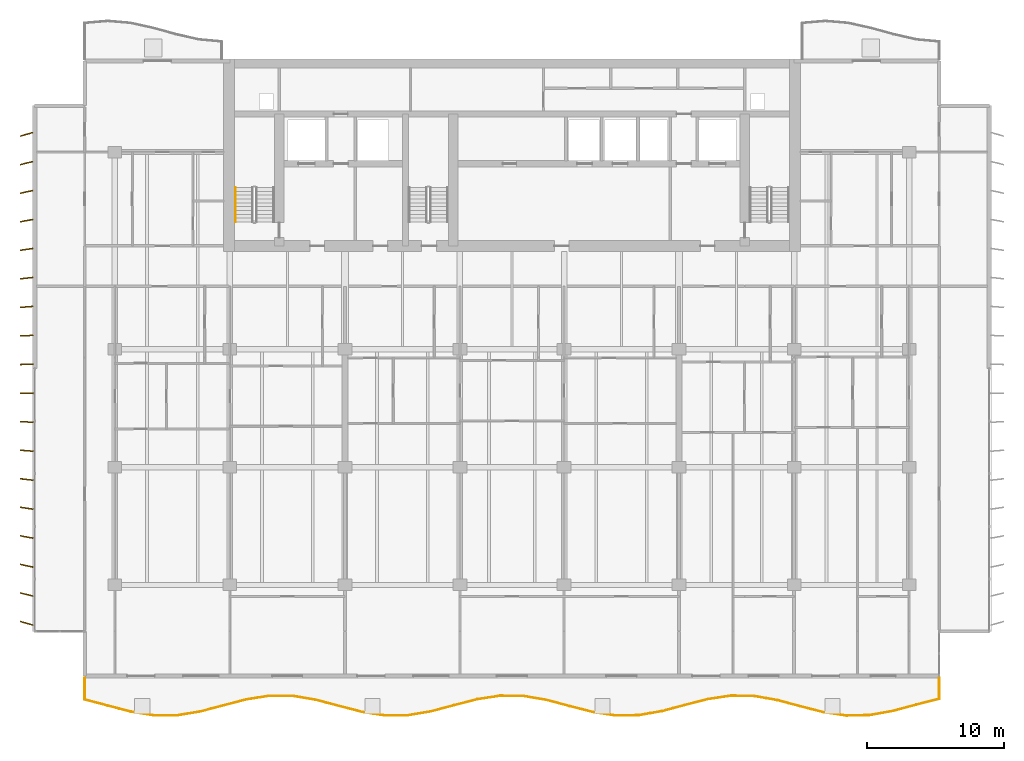
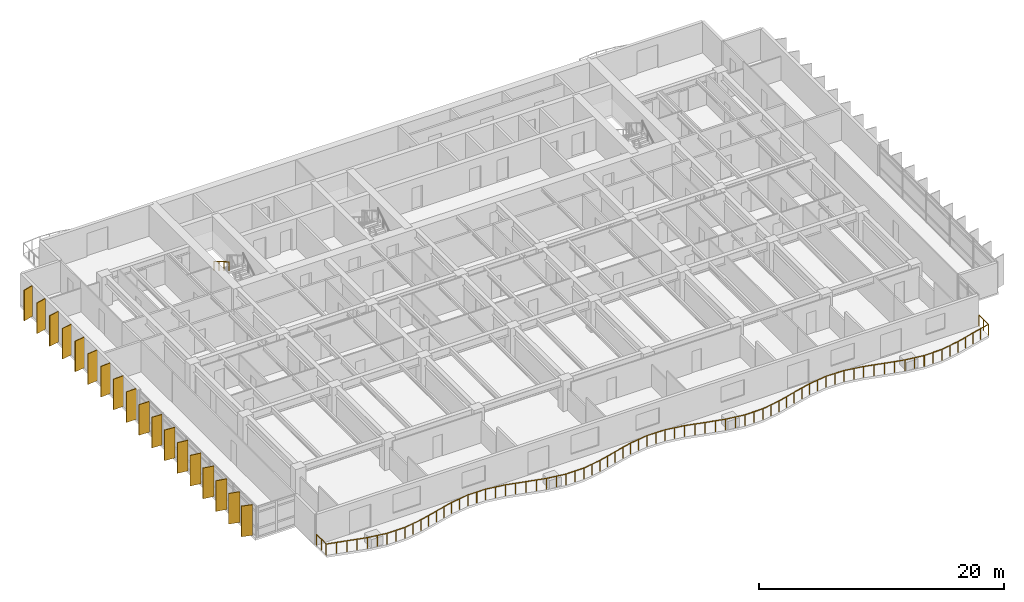
# One storey, part 12 of 15: 18 shading devices, 2 railings.
"""IFC4 building model written with IfcOpenShell, lengths in metres."""

from ifc_helpers import new_model, si_unit, direction, frame, origin, origin_2d, place, context, subcontext, project, spatial, rectangle, circle, extrude, material, material_profile, profile_set, type_object, element, save


model = new_model("IFC4")

# Units and contexts
model_context = context("Model", 3, precision=1e-05, world=origin(), true_north=direction((0.0, 1.0)))
body_context = subcontext(model_context, "Body", "Model", "MODEL_VIEW")
ifc_project = project(units=[si_unit("LENGTHUNIT", "METRE"), si_unit("AREAUNIT", "SQUARE_METRE"), si_unit("VOLUMEUNIT", "CUBIC_METRE"), si_unit("PLANEANGLEUNIT", "RADIAN"), si_unit("MASSUNIT", "GRAM", prefix="KILO")], contexts=[model_context])

# Site, building, storey
site_placement = place(None, origin())
site = spatial("IfcSite", under=ifc_project, at=site_placement, CompositionType="ELEMENT")
building_placement = place(site_placement, origin())
building = spatial("IfcBuilding", under=site, at=building_placement, Name="Caelmar Bay Residences", CompositionType="ELEMENT")
storey_placement = place(building_placement, frame((0.0, 0.0, 138.89990234375)))
storey = spatial("IfcBuildingStorey", under=building, at=storey_placement, Name="L38", CompositionType="ELEMENT", Elevation=138.89990234375)

# Railings
ifc_material_1 = material(Name="Anodised bronze handrail with laminated hurricane glass infill", Category="glass")
railing_type_1 = type_object("IfcRailingType", Name="RL-BAL-1100", PredefinedType="BALUSTRADE", material=ifc_material_1)
railing_1_placement = place(storey_placement, frame((7.699951171875, 5.39990234375, 0.0)))
element("IfcRailing", 1, at=railing_1_placement, inside=storey, type_object=railing_type_1, Name="L38 south Balcony Balustrade", PredefinedType="BALUSTRADE", context=body_context, shape_type="SweptSolid", body=[
    extrude(circle(Radius=0.02392578125, at=origin_2d()), frame((0.0, 0.0, 1.076171875), z_axis=(0.0, -1.0, 0.0), x_axis=(1.0, 0.0, 0.0)), (0.0, 0.0, 1.0), 1.5791015625),
    extrude(circle(Radius=0.02392578125, at=origin_2d()), frame((0.0, -1.5791015625, 1.076171875), z_axis=(0.967242999152, -0.253852281045, 0.0), x_axis=(0.253852281045, 0.967242999152, 0.0)), (0.0, 0.0, 1.0), 1.74365234375),
    extrude(circle(Radius=0.02392578125, at=origin_2d()), frame((1.6865234375, -2.021728515625, 1.076171875), z_axis=(0.967346068881, -0.25345923345, 0.0), x_axis=(0.25345923345, 0.967346068881, 0.0)), (0.0, 0.0, 1.0), 1.743408203125),
    extrude(circle(Radius=0.02392578125, at=origin_2d()), frame((3.373046875, -2.463623046875, 1.076171875), z_axis=(0.987312771939, -0.15878756364, 0.0), x_axis=(0.15878756364, 0.987312771939, 0.0)), (0.0, 0.0, 1.0), 1.708251953125),
    extrude(circle(Radius=0.02392578125, at=origin_2d()), frame((5.0595703125, -2.73486328125, 1.076171875), z_axis=(0.999997316947, 0.002316484302, 0.0), x_axis=(-0.002316484302, 0.999997316947, 0.0)), (0.0, 0.0, 1.0), 1.686279296875),
    extrude(circle(Radius=0.02392578125, at=origin_2d()), frame((6.745849609375, -2.73095703125, 1.076171875), z_axis=(0.986723913917, 0.162406643041, 0.0), x_axis=(-0.162406643041, 0.986723913917, 0.0)), (0.0, 0.0, 1.0), 1.709228515625),
    extrude(circle(Radius=0.02392578125, at=origin_2d()), frame((8.432373046875, -2.453369140625, 1.076171875), z_axis=(0.967001967981, 0.254768902971, 0.0), x_axis=(-0.254768902971, 0.967001967981, 0.0)), (0.0, 0.0, 1.0), 1.744140625),
    extrude(circle(Radius=0.02392578125, at=origin_2d()), frame((10.118896484375, -2.009033203125, 1.076171875), z_axis=(0.967586028705, 0.252541634301, 0.0), x_axis=(-0.252541634301, 0.967586028705, 0.0)), (0.0, 0.0, 1.0), 1.742919921875),
    extrude(circle(Radius=0.02392578125, at=origin_2d()), frame((11.805419921875, -1.56884765625, 1.076171875), z_axis=(0.98773512565, 0.156138789405, 0.0), x_axis=(-0.156138789405, 0.98773512565, 0.0)), (0.0, 0.0, 1.0), 1.70751953125),
    extrude(circle(Radius=0.02392578125, at=origin_2d()), frame((13.491943359375, -1.30224609375, 1.076171875), z_axis=(0.999984063822, -0.005645538287, 0.0), x_axis=(0.005645538287, 0.999984063822, 0.0)), (0.0, 0.0, 1.0), 1.6865234375),
    extrude(circle(Radius=0.02392578125, at=origin_2d()), frame((15.178466796875, -1.311767578125, 1.076171875), z_axis=(0.986285665301, -0.165047224825, 0.0), x_axis=(0.165047224825, 0.986285665301, 0.0)), (0.0, 0.0, 1.0), 1.7099609375),
    extrude(circle(Radius=0.02392578125, at=origin_2d()), frame((16.864990234375, -1.593994140625, 1.076171875), z_axis=(0.966794774667, -0.255554032794, 0.0), x_axis=(0.255554032794, 0.966794774667, 0.0)), (0.0, 0.0, 1.0), 1.744384765625),
    extrude(circle(Radius=0.02392578125, at=origin_2d()), frame((18.551513671875, -2.039794921875, 1.076171875), z_axis=(0.967816364062, -0.251657476452, 0.0), x_axis=(0.251657476452, 0.967816364062, 0.0)), (0.0, 0.0, 1.0), 1.742431640625),
    extrude(circle(Radius=0.02392578125, at=origin_2d()), frame((20.23779296875, -2.478271484375, 1.076171875), z_axis=(0.988172408476, -0.153346963215, 0.0), x_axis=(0.153346963215, 0.988172408476, 0.0)), (0.0, 0.0, 1.0), 1.706787109375),
    extrude(circle(Radius=0.02392578125, at=origin_2d()), frame((21.92431640625, -2.739990234375, 1.076171875), z_axis=(0.999959726211, 0.00897473987, 0.0), x_axis=(-0.00897473987, 0.999959726211, 0.0)), (0.0, 0.0, 1.0), 1.6865234375),
    extrude(circle(Radius=0.02392578125, at=origin_2d()), frame((23.61083984375, -2.724853515625, 1.076171875), z_axis=(0.98588789795, 0.167406847756, 0.0), x_axis=(-0.167406847756, 0.98588789795, 0.0)), (0.0, 0.0, 1.0), 1.710693359375),
    extrude(circle(Radius=0.02392578125, at=origin_2d()), frame((25.29736328125, -2.4384765625, 1.076171875), z_axis=(0.966517664442, 0.256600086362, 0.0), x_axis=(-0.256600086362, 0.966517664442, 0.0)), (0.0, 0.0, 1.0), 1.744873046875),
    extrude(circle(Radius=0.02392578125, at=origin_2d()), frame((26.98388671875, -1.99072265625, 1.076171875), z_axis=(0.968131680755, 0.250441707225, 0.0), x_axis=(-0.250441707225, 0.968131680755, 0.0)), (0.0, 0.0, 1.0), 1.741943359375),
    extrude(circle(Radius=0.02392578125, at=origin_2d()), frame((28.67041015625, -1.554443359375, 1.076171875), z_axis=(0.988559536342, 0.15083117419, 0.0), x_axis=(-0.15083117419, 0.988559536342, 0.0)), (0.0, 0.0, 1.0), 1.7060546875),
    extrude(circle(Radius=0.02392578125, at=origin_2d()), frame((30.35693359375, -1.297119140625, 1.076171875), z_axis=(0.999922493611, -0.012450171486, 0.0), x_axis=(0.012450171486, 0.999922493611, 0.0)), (0.0, 0.0, 1.0), 1.6865234375),
    extrude(circle(Radius=0.02392578125, at=origin_2d()), frame((32.043212890625, -1.318115234375, 1.076171875), z_axis=(0.985460939376, -0.169902139374, 0.0), x_axis=(0.169902139374, 0.985460939376, 0.0)), (0.0, 0.0, 1.0), 1.71142578125),
    extrude(circle(Radius=0.02392578125, at=origin_2d()), frame((33.729736328125, -1.60888671875, 1.076171875), z_axis=(0.966309193943, -0.257384035445, 0.0), x_axis=(0.257384035445, 0.966309193943, 0.0)), (0.0, 0.0, 1.0), 1.745361328125),
    extrude(circle(Radius=0.02392578125, at=origin_2d()), frame((35.416259765625, -2.05810546875, 1.076171875), z_axis=(0.968403026193, -0.249390414533, 0.0), x_axis=(0.249390414533, 0.968403026193, 0.0)), (0.0, 0.0, 1.0), 1.741455078125),
    extrude(circle(Radius=0.02392578125, at=origin_2d()), frame((37.102783203125, -2.492431640625, 1.076171875), z_axis=(0.988961540669, -0.148172436971, 0.0), x_axis=(0.148172436971, 0.988961540669, 0.0)), (0.0, 0.0, 1.0), 1.705322265625),
    extrude(circle(Radius=0.02392578125, at=origin_2d()), frame((38.789306640625, -2.7451171875, 1.076171875), z_axis=(0.999875537862, 0.015776843316, 0.0), x_axis=(-0.015776843316, 0.999875537862, 0.0)), (0.0, 0.0, 1.0), 1.686767578125),
    extrude(circle(Radius=0.02392578125, at=origin_2d()), frame((40.475830078125, -2.718505859375, 1.076171875), z_axis=(0.985003822672, 0.17253251671, 0.0), x_axis=(-0.17253251671, 0.985003822672, 0.0)), (0.0, 0.0, 1.0), 1.712158203125),
    extrude(circle(Radius=0.02392578125, at=origin_2d()), frame((42.162353515625, -2.423095703125, 1.076171875), z_axis=(0.966125737824, 0.25807180922, 0.0), x_axis=(-0.25807180922, 0.966125737824, 0.0)), (0.0, 0.0, 1.0), 1.745361328125),
    extrude(circle(Radius=0.02392578125, at=origin_2d()), frame((43.8486328125, -1.97265625, 1.076171875), z_axis=(0.968673380901, 0.248338239371, 0.0), x_axis=(-0.248338239371, 0.968673380901, 0.0)), (0.0, 0.0, 1.0), 1.740966796875),
    extrude(circle(Radius=0.02392578125, at=origin_2d()), frame((45.53515625, -1.540283203125, 1.076171875), z_axis=(0.989377318398, 0.14537029215, 0.0), x_axis=(-0.14537029215, 0.989377318398, 0.0)), (0.0, 0.0, 1.0), 1.70458984375),
    extrude(circle(Radius=0.02392578125, at=origin_2d()), frame((47.2216796875, -1.29248046875, 1.076171875), z_axis=(0.999817486792, -0.019104792741, 0.0), x_axis=(0.019104792741, 0.999817486792, 0.0)), (0.0, 0.0, 1.0), 1.686767578125),
    extrude(circle(Radius=0.02392578125, at=origin_2d()), frame((48.908203125, -1.32470703125, 1.076171875), z_axis=(0.984589241771, -0.174882889353, 0.0), x_axis=(0.174882889353, 0.984589241771, 0.0)), (0.0, 0.0, 1.0), 1.712890625),
    extrude(circle(Radius=0.02392578125, at=origin_2d()), frame((50.5947265625, -1.624267578125, 1.076171875), z_axis=(0.965890617904, -0.258950408853, 0.0), x_axis=(0.258950408853, 0.965890617904, 0.0)), (0.0, 0.0, 1.0), 1.74609375),
    extrude(circle(Radius=0.02392578125, at=origin_2d()), frame((52.28125, -2.076416015625, 1.076171875), z_axis=(0.968967772259, -0.247187087697, 0.0), x_axis=(0.247187087697, 0.968967772259, 0.0)), (0.0, 0.0, 1.0), 1.740234375),
    extrude(circle(Radius=0.02392578125, at=origin_2d()), frame((53.967529296875, -2.506591796875, 1.076171875), z_axis=(0.989785492966, -0.142564644687, 0.0), x_axis=(0.142564644687, 0.989785492966, 0.0)), (0.0, 0.0, 1.0), 1.703857421875),
    extrude(circle(Radius=0.02392578125, at=origin_2d()), frame((55.654052734375, -2.74951171875, 1.076171875), z_axis=(0.999748368622, 0.022432107287, 0.0), x_axis=(-0.022432107287, 0.999748368622, 0.0)), (0.0, 0.0, 1.0), 1.68701171875),
    extrude(circle(Radius=0.02392578125, at=origin_2d()), frame((57.340576171875, -2.711669921875, 1.076171875), z_axis=(0.984144551862, 0.177368263907, 0.0), x_axis=(-0.177368263907, 0.984144551862, 0.0)), (0.0, 0.0, 1.0), 1.713623046875),
    extrude(circle(Radius=0.02392578125, at=origin_2d()), frame((59.027099609375, -2.40771484375, 1.076171875), z_axis=(0.965750609382, 0.259472080344, 0.0), x_axis=(-0.259472080344, 0.965750609382, 0.0)), (0.0, 0.0, 1.0), 1.746337890625),
    extrude(circle(Radius=0.02392578125, at=origin_2d()), frame((60.713623046875, -1.95458984375, 1.076171875), z_axis=(0.969244582602, 0.246099449607, 0.0), x_axis=(-0.246099449607, 0.969244582602, 0.0)), (0.0, 0.0, 1.0), 1.739990234375),
    extrude(circle(Radius=0.02392578125, at=origin_2d()), frame((62.400146484375, -1.5263671875, 1.076171875), z_axis=(0.0, 1.0, 0.0), x_axis=(-1.0, 0.0, 0.0)), (0.0, 0.0, 1.0), 1.5263671875),
    extrude(circle(Radius=0.02099609375, at=origin_2d()), origin(), (0.0, 0.0, 1.0), 1.052001953125),
    extrude(circle(Radius=0.02099609375, at=origin_2d()), frame((0.0, -0.78955078125, 0.0)), (0.0, 0.0, 1.0), 1.052001953125),
    extrude(circle(Radius=0.02099609375, at=origin_2d()), frame((0.0, -1.5791015625, 0.0)), (0.0, 0.0, 1.0), 1.052001953125),
    extrude(circle(Radius=0.02099609375, at=origin_2d()), frame((0.84326171875, -1.80029296875, 0.0)), (0.0, 0.0, 1.0), 1.052001953125),
    extrude(circle(Radius=0.02099609375, at=origin_2d()), frame((1.6865234375, -2.021728515625, 0.0)), (0.0, 0.0, 1.0), 1.052001953125),
    extrude(circle(Radius=0.02099609375, at=origin_2d()), frame((2.52978515625, -2.24267578125, 0.0)), (0.0, 0.0, 1.0), 1.052001953125),
    extrude(circle(Radius=0.02099609375, at=origin_2d()), frame((3.373046875, -2.463623046875, 0.0)), (0.0, 0.0, 1.0), 1.052001953125),
    extrude(circle(Radius=0.02099609375, at=origin_2d()), frame((4.21630859375, -2.59912109375, 0.0)), (0.0, 0.0, 1.0), 1.052001953125),
    extrude(circle(Radius=0.02099609375, at=origin_2d()), frame((5.0595703125, -2.73486328125, 0.0)), (0.0, 0.0, 1.0), 1.052001953125),
    extrude(circle(Radius=0.02099609375, at=origin_2d()), frame((5.90283203125, -2.73291015625, 0.0)), (0.0, 0.0, 1.0), 1.052001953125),
    extrude(circle(Radius=0.02099609375, at=origin_2d()), frame((6.745849609375, -2.73095703125, 0.0)), (0.0, 0.0, 1.0), 1.052001953125),
    extrude(circle(Radius=0.02099609375, at=origin_2d()), frame((7.589111328125, -2.59228515625, 0.0)), (0.0, 0.0, 1.0), 1.052001953125),
    extrude(circle(Radius=0.02099609375, at=origin_2d()), frame((8.432373046875, -2.453369140625, 0.0)), (0.0, 0.0, 1.0), 1.052001953125),
    extrude(circle(Radius=0.02099609375, at=origin_2d()), frame((9.275634765625, -2.231201171875, 0.0)), (0.0, 0.0, 1.0), 1.052001953125),
    extrude(circle(Radius=0.02099609375, at=origin_2d()), frame((10.118896484375, -2.009033203125, 0.0)), (0.0, 0.0, 1.0), 1.052001953125),
    extrude(circle(Radius=0.02099609375, at=origin_2d()), frame((10.962158203125, -1.7890625, 0.0)), (0.0, 0.0, 1.0), 1.052001953125),
    extrude(circle(Radius=0.02099609375, at=origin_2d()), frame((11.805419921875, -1.56884765625, 0.0)), (0.0, 0.0, 1.0), 1.052001953125),
    extrude(circle(Radius=0.02099609375, at=origin_2d()), frame((12.648681640625, -1.435546875, 0.0)), (0.0, 0.0, 1.0), 1.052001953125),
    extrude(circle(Radius=0.02099609375, at=origin_2d()), frame((13.491943359375, -1.30224609375, 0.0)), (0.0, 0.0, 1.0), 1.052001953125),
    extrude(circle(Radius=0.02099609375, at=origin_2d()), frame((14.335205078125, -1.30712890625, 0.0)), (0.0, 0.0, 1.0), 1.052001953125),
    extrude(circle(Radius=0.02099609375, at=origin_2d()), frame((15.178466796875, -1.311767578125, 0.0)), (0.0, 0.0, 1.0), 1.052001953125),
    extrude(circle(Radius=0.02099609375, at=origin_2d()), frame((16.021728515625, -1.452880859375, 0.0)), (0.0, 0.0, 1.0), 1.052001953125),
    extrude(circle(Radius=0.02099609375, at=origin_2d()), frame((16.864990234375, -1.593994140625, 0.0)), (0.0, 0.0, 1.0), 1.052001953125),
    extrude(circle(Radius=0.02099609375, at=origin_2d()), frame((17.708251953125, -1.81689453125, 0.0)), (0.0, 0.0, 1.0), 1.052001953125),
    extrude(circle(Radius=0.02099609375, at=origin_2d()), frame((18.551513671875, -2.039794921875, 0.0)), (0.0, 0.0, 1.0), 1.052001953125),
    extrude(circle(Radius=0.02099609375, at=origin_2d()), frame((19.39453125, -2.259033203125, 0.0)), (0.0, 0.0, 1.0), 1.052001953125),
    extrude(circle(Radius=0.02099609375, at=origin_2d()), frame((20.23779296875, -2.478271484375, 0.0)), (0.0, 0.0, 1.0), 1.052001953125),
    extrude(circle(Radius=0.02099609375, at=origin_2d()), frame((21.0810546875, -2.609130859375, 0.0)), (0.0, 0.0, 1.0), 1.052001953125),
    extrude(circle(Radius=0.02099609375, at=origin_2d()), frame((21.92431640625, -2.739990234375, 0.0)), (0.0, 0.0, 1.0), 1.052001953125),
    extrude(circle(Radius=0.02099609375, at=origin_2d()), frame((22.767578125, -2.732421875, 0.0)), (0.0, 0.0, 1.0), 1.052001953125),
    extrude(circle(Radius=0.02099609375, at=origin_2d()), frame((23.61083984375, -2.724853515625, 0.0)), (0.0, 0.0, 1.0), 1.052001953125),
    extrude(circle(Radius=0.02099609375, at=origin_2d()), frame((24.4541015625, -2.58154296875, 0.0)), (0.0, 0.0, 1.0), 1.052001953125),
    extrude(circle(Radius=0.02099609375, at=origin_2d()), frame((25.29736328125, -2.4384765625, 0.0)), (0.0, 0.0, 1.0), 1.052001953125),
    extrude(circle(Radius=0.02099609375, at=origin_2d()), frame((26.140625, -2.214599609375, 0.0)), (0.0, 0.0, 1.0), 1.052001953125),
    extrude(circle(Radius=0.02099609375, at=origin_2d()), frame((26.98388671875, -1.99072265625, 0.0)), (0.0, 0.0, 1.0), 1.052001953125),
    extrude(circle(Radius=0.02099609375, at=origin_2d()), frame((27.8271484375, -1.7724609375, 0.0)), (0.0, 0.0, 1.0), 1.052001953125),
    extrude(circle(Radius=0.02099609375, at=origin_2d()), frame((28.67041015625, -1.554443359375, 0.0)), (0.0, 0.0, 1.0), 1.052001953125),
    extrude(circle(Radius=0.02099609375, at=origin_2d()), frame((29.513671875, -1.42578125, 0.0)), (0.0, 0.0, 1.0), 1.052001953125),
    extrude(circle(Radius=0.02099609375, at=origin_2d()), frame((30.35693359375, -1.297119140625, 0.0)), (0.0, 0.0, 1.0), 1.052001953125),
    extrude(circle(Radius=0.02099609375, at=origin_2d()), frame((31.2001953125, -1.3076171875, 0.0)), (0.0, 0.0, 1.0), 1.052001953125),
    extrude(circle(Radius=0.02099609375, at=origin_2d()), frame((32.043212890625, -1.318115234375, 0.0)), (0.0, 0.0, 1.0), 1.052001953125),
    extrude(circle(Radius=0.02099609375, at=origin_2d()), frame((32.886474609375, -1.46337890625, 0.0)), (0.0, 0.0, 1.0), 1.052001953125),
    extrude(circle(Radius=0.02099609375, at=origin_2d()), frame((33.729736328125, -1.60888671875, 0.0)), (0.0, 0.0, 1.0), 1.052001953125),
    extrude(circle(Radius=0.02099609375, at=origin_2d()), frame((34.572998046875, -1.83349609375, 0.0)), (0.0, 0.0, 1.0), 1.052001953125),
    extrude(circle(Radius=0.02099609375, at=origin_2d()), frame((35.416259765625, -2.05810546875, 0.0)), (0.0, 0.0, 1.0), 1.052001953125),
    extrude(circle(Radius=0.02099609375, at=origin_2d()), frame((36.259521484375, -2.275390625, 0.0)), (0.0, 0.0, 1.0), 1.052001953125),
    extrude(circle(Radius=0.02099609375, at=origin_2d()), frame((37.102783203125, -2.492431640625, 0.0)), (0.0, 0.0, 1.0), 1.052001953125),
    extrude(circle(Radius=0.02099609375, at=origin_2d()), frame((37.946044921875, -2.61865234375, 0.0)), (0.0, 0.0, 1.0), 1.052001953125),
    extrude(circle(Radius=0.02099609375, at=origin_2d()), frame((38.789306640625, -2.7451171875, 0.0)), (0.0, 0.0, 1.0), 1.052001953125),
    extrude(circle(Radius=0.02099609375, at=origin_2d()), frame((39.632568359375, -2.73193359375, 0.0)), (0.0, 0.0, 1.0), 1.052001953125),
    extrude(circle(Radius=0.02099609375, at=origin_2d()), frame((40.475830078125, -2.718505859375, 0.0)), (0.0, 0.0, 1.0), 1.052001953125),
    extrude(circle(Radius=0.02099609375, at=origin_2d()), frame((41.319091796875, -2.57080078125, 0.0)), (0.0, 0.0, 1.0), 1.052001953125),
    extrude(circle(Radius=0.02099609375, at=origin_2d()), frame((42.162353515625, -2.423095703125, 0.0)), (0.0, 0.0, 1.0), 1.052001953125),
    extrude(circle(Radius=0.02099609375, at=origin_2d()), frame((43.00537109375, -2.19775390625, 0.0)), (0.0, 0.0, 1.0), 1.052001953125),
    extrude(circle(Radius=0.02099609375, at=origin_2d()), frame((43.8486328125, -1.97265625, 0.0)), (0.0, 0.0, 1.0), 1.052001953125),
    extrude(circle(Radius=0.02099609375, at=origin_2d()), frame((44.69189453125, -1.75634765625, 0.0)), (0.0, 0.0, 1.0), 1.052001953125),
    extrude(circle(Radius=0.02099609375, at=origin_2d()), frame((45.53515625, -1.540283203125, 0.0)), (0.0, 0.0, 1.0), 1.052001953125),
    extrude(circle(Radius=0.02099609375, at=origin_2d()), frame((46.37841796875, -1.41650390625, 0.0)), (0.0, 0.0, 1.0), 1.052001953125),
    extrude(circle(Radius=0.02099609375, at=origin_2d()), frame((47.2216796875, -1.29248046875, 0.0)), (0.0, 0.0, 1.0), 1.052001953125),
    extrude(circle(Radius=0.02099609375, at=origin_2d()), frame((48.06494140625, -1.30859375, 0.0)), (0.0, 0.0, 1.0), 1.052001953125),
    extrude(circle(Radius=0.02099609375, at=origin_2d()), frame((48.908203125, -1.32470703125, 0.0)), (0.0, 0.0, 1.0), 1.052001953125),
    extrude(circle(Radius=0.02099609375, at=origin_2d()), frame((49.75146484375, -1.474609375, 0.0)), (0.0, 0.0, 1.0), 1.052001953125),
    extrude(circle(Radius=0.02099609375, at=origin_2d()), frame((50.5947265625, -1.624267578125, 0.0)), (0.0, 0.0, 1.0), 1.052001953125),
    extrude(circle(Radius=0.02099609375, at=origin_2d()), frame((51.43798828125, -1.850341796875, 0.0)), (0.0, 0.0, 1.0), 1.052001953125),
    extrude(circle(Radius=0.02099609375, at=origin_2d()), frame((52.28125, -2.076416015625, 0.0)), (0.0, 0.0, 1.0), 1.052001953125),
    extrude(circle(Radius=0.02099609375, at=origin_2d()), frame((53.12451171875, -2.29150390625, 0.0)), (0.0, 0.0, 1.0), 1.052001953125),
    extrude(circle(Radius=0.02099609375, at=origin_2d()), frame((53.967529296875, -2.506591796875, 0.0)), (0.0, 0.0, 1.0), 1.052001953125),
    extrude(circle(Radius=0.02099609375, at=origin_2d()), frame((54.810791015625, -2.6279296875, 0.0)), (0.0, 0.0, 1.0), 1.052001953125),
    extrude(circle(Radius=0.02099609375, at=origin_2d()), frame((55.654052734375, -2.74951171875, 0.0)), (0.0, 0.0, 1.0), 1.052001953125),
    extrude(circle(Radius=0.02099609375, at=origin_2d()), frame((56.497314453125, -2.73046875, 0.0)), (0.0, 0.0, 1.0), 1.052001953125),
    extrude(circle(Radius=0.02099609375, at=origin_2d()), frame((57.340576171875, -2.711669921875, 0.0)), (0.0, 0.0, 1.0), 1.052001953125),
    extrude(circle(Radius=0.02099609375, at=origin_2d()), frame((58.183837890625, -2.5595703125, 0.0)), (0.0, 0.0, 1.0), 1.052001953125),
    extrude(circle(Radius=0.02099609375, at=origin_2d()), frame((59.027099609375, -2.40771484375, 0.0)), (0.0, 0.0, 1.0), 1.052001953125),
    extrude(circle(Radius=0.02099609375, at=origin_2d()), frame((59.870361328125, -2.18115234375, 0.0)), (0.0, 0.0, 1.0), 1.052001953125),
    extrude(circle(Radius=0.02099609375, at=origin_2d()), frame((60.713623046875, -1.95458984375, 0.0)), (0.0, 0.0, 1.0), 1.052001953125),
    extrude(circle(Radius=0.02099609375, at=origin_2d()), frame((61.556884765625, -1.740478515625, 0.0)), (0.0, 0.0, 1.0), 1.052001953125),
    extrude(circle(Radius=0.02099609375, at=origin_2d()), frame((62.400146484375, -1.5263671875, 0.0)), (0.0, 0.0, 1.0), 1.052001953125),
    extrude(circle(Radius=0.02099609375, at=origin_2d()), frame((62.400146484375, -0.76318359375, 0.0)), (0.0, 0.0, 1.0), 1.052001953125),
    extrude(circle(Radius=0.02099609375, at=origin_2d()), frame((62.400146484375, 0.0, 0.0)), (0.0, 0.0, 1.0), 1.052001953125),
])
ifc_material_2 = material(Name="Brushed bronze stainless-steel tubular handrail 900 mm", Category="steel")
railing_type_2 = type_object("IfcRailingType", Name="RL-HND-900", PredefinedType="HANDRAIL", material=ifc_material_2)
railing_2_placement = place(storey_placement, frame((18.699951171875, 41.219970703125, 1.815185546875)))
element("IfcRailing", 2, at=railing_2_placement, inside=storey, type_object=railing_type_2, Name="L38 ST1 stair handrail 2", PredefinedType="HANDRAIL", context=body_context, shape_type="SweptSolid", body=[
    extrude(circle(Radius=0.02392578125, at=origin_2d()), frame((0.0, 0.0, 0.8759765625), z_axis=(0.0, -0.861560626758, 0.507654692109), x_axis=(1.0, 0.0, 0.0)), (0.0, 0.0, 1.0), 2.925048828125),
    extrude(circle(Radius=0.02099609375, at=origin_2d()), origin(), (0.0, 0.0, 1.0), 0.851806640625),
    extrude(circle(Radius=0.02099609375, at=origin_2d()), frame((0.0, -0.840087890625, 0.494873046875)), (0.0, 0.0, 1.0), 0.851806640625),
    extrude(circle(Radius=0.02099609375, at=origin_2d()), frame((0.0, -1.679931640625, 0.989990234375)), (0.0, 0.0, 1.0), 0.851806640625),
    extrude(circle(Radius=0.02099609375, at=origin_2d()), frame((0.0, -2.52001953125, 1.48486328125)), (0.0, 0.0, 1.0), 0.851806640625),
])

# Shading devices
ifc_material_3 = material(Name="Anodised architectural bronze aluminium 6063-T6", Category="aluminium")
ifc_material_profile = material_profile(ifc_material_3, rectangle(XDim=0.074951171875, YDim=0.949951171875, at=origin_2d()), Name="BRONZE-FIN-75X950")
ifc_profile_set = profile_set([ifc_material_profile], Name="Anodised architectural bronze aluminium 6063-T6")
shading_device_type = type_object("IfcShadingDeviceType", Name="SHD-FIN-950", PredefinedType="USERDEFINED", material=ifc_profile_set)
for number, where, z_axis, x_axis, name in (
    (3, (3.449951171875, 9.39990234375, 0.0), (0.0, 0.0, 1.0), (0.275637355817, 0.961261695938, 0.0), "L38 West Bronze Solar Fin 1"),
    (4, (3.449951171875, 11.5, 0.0), (0.0, 0.0, 1.0), (0.243953546137, 0.969786918517, 0.0), "L38 West Bronze Solar Fin 2"),
    (5, (3.449951171875, 13.60009765625, 0.0), (0.0, 0.0, 1.0), (0.212007109922, 0.977268123568, 0.0), "L38 West Bronze Solar Fin 3"),
    (6, (3.449951171875, 15.699951171875, 0.0), (0.0, 0.0, 1.0), (0.179660748593, 0.98372862895, 0.0), "L38 West Bronze Solar Fin 4"),
    (7, (3.449951171875, 17.800048828125, 0.0), (0.0, 0.0, 1.0), (0.147291543397, 0.989093120613, 0.0), "L38 West Bronze Solar Fin 5"),
    (8, (3.449951171875, 19.89990234375, 0.0), (0.0, 0.0, 1.0), (0.114763772489, 0.993392810787, 0.0), "L38 West Bronze Solar Fin 6"),
    (9, (3.449951171875, 22.0, 0.0), (0.0, 0.0, 1.0), (0.08211245342, 0.996623070671, 0.0), "L38 West Bronze Solar Fin 7"),
    (10, (3.449951171875, 24.10009765625, 0.0), (0.0, 0.0, 1.0), (0.049198415926, 0.998789024705, 0.0), "L38 West Bronze Solar Fin 8"),
    (11, (3.449951171875, 26.199951171875, 0.0), (0.0, 0.0, 1.0), (0.016405359001, 0.999865423043, 0.0), "L38 West Bronze Solar Fin 9"),
    (12, (3.449951171875, 28.300048828125, 0.0), (0.0, 0.0, 1.0), (-0.016405359001, 0.999865423043, 0.0), "L38 West Bronze Solar Fin 10"),
    (13, (3.449951171875, 30.39990234375, 0.0), (0.0, 0.0, 1.0), (-0.049198415926, 0.998789024705, 0.0), "L38 West Bronze Solar Fin 11"),
    (14, (3.449951171875, 32.5, 0.0), (0.0, 0.0, 1.0), (-0.08211245342, 0.996623070671, 0.0), "L38 West Bronze Solar Fin 12"),
    (15, (3.449951171875, 34.60009765625, 0.0), (0.0, 0.0, 1.0), (-0.114763772489, 0.993392810787, 0.0), "L38 West Bronze Solar Fin 13"),
    (16, (3.449951171875, 36.699951171875, 0.0), (0.0, 0.0, 1.0), (-0.147291543397, 0.989093120613, 0.0), "L38 West Bronze Solar Fin 14"),
    (17, (3.449951171875, 38.800048828125, 0.0), (0.0, 0.0, 1.0), (-0.179660748593, 0.98372862895, 0.0), "L38 West Bronze Solar Fin 15"),
    (18, (3.449951171875, 40.89990234375, 0.0), (0.0, 0.0, 1.0), (-0.212007109922, 0.977268123568, 0.0), "L38 West Bronze Solar Fin 16"),
    (19, (3.449951171875, 43.0, 0.0), (0.0, 0.0, 1.0), (-0.243953546137, 0.969786918517, 0.0), "L38 West Bronze Solar Fin 17"),
    (20, (3.449951171875, 45.10009765625, 0.0), (0.0, 0.0, 1.0), (-0.275637355817, 0.961261695938, 0.0), "L38 West Bronze Solar Fin 18"),
):
    element("IfcShadingDevice", number, at=place(storey_placement, frame(where, z_axis=z_axis, x_axis=x_axis)), inside=storey, type_object=shading_device_type, Name=name, ObjectType="FIN", PredefinedType="USERDEFINED", context=body_context, shape_type="SweptSolid", body=[
        extrude(rectangle(XDim=0.074951171875, YDim=0.949951171875, at=origin_2d()), origin(), (0.0, 0.0, 1.0), 3.050048828125),
    ])

save(model, "model.ifc")
